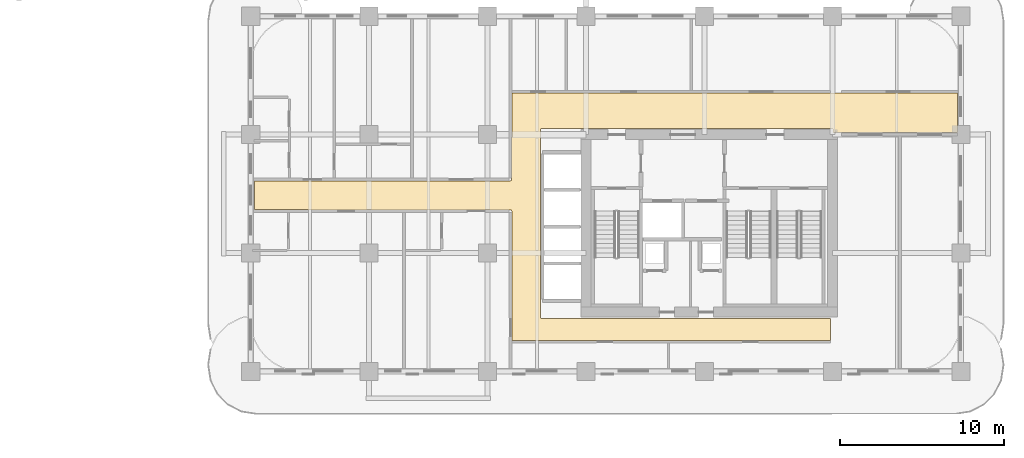
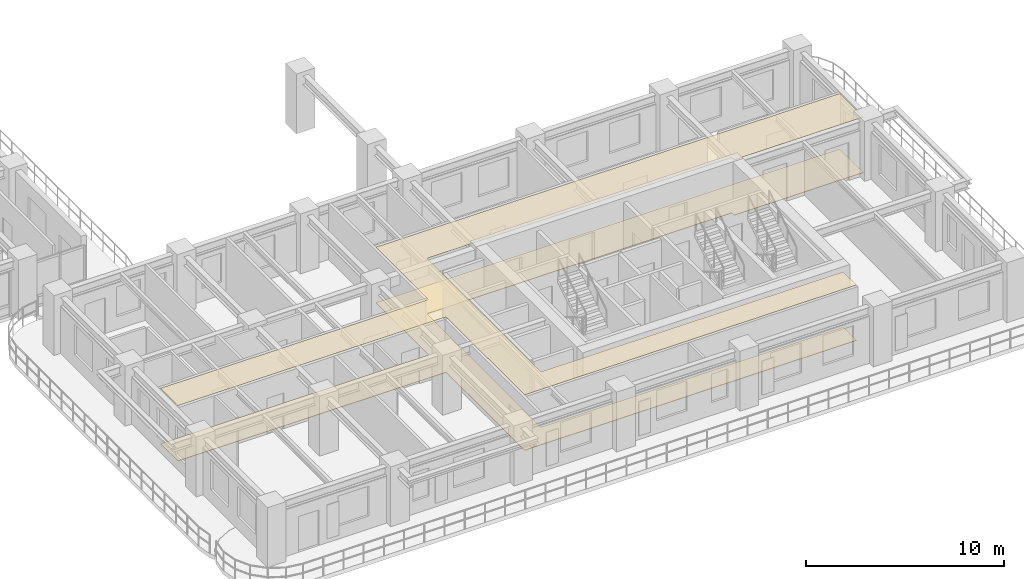
# One storey, part 16 of 19: 2 coverings.
"""IFC4 building model written with IfcOpenShell, lengths in metres."""

from ifc_helpers import new_model, si_unit, derived_unit, direction, frame, origin, place, context, subcontext, project, spatial, polyline, outline, extrude, material, layer, layer_set, type_object, element, save


model = new_model("IFC4")

# Units and contexts
model_context = context("Model", 3, precision=1e-05, world=origin(), true_north=direction((0.0, 1.0)))
body_context = subcontext(model_context, "Body", "Model", "MODEL_VIEW")
ifc_project = project(units=[si_unit("LENGTHUNIT", "METRE"), si_unit("AREAUNIT", "SQUARE_METRE"), si_unit("VOLUMEUNIT", "CUBIC_METRE"), si_unit("PLANEANGLEUNIT", "RADIAN"), si_unit("MASSUNIT", "GRAM", prefix="KILO"), si_unit("THERMODYNAMICTEMPERATUREUNIT", "KELVIN"), si_unit("POWERUNIT", "WATT"), derived_unit("THERMALTRANSMITTANCEUNIT", [(si_unit("POWERUNIT", "WATT"), 1), (si_unit("AREAUNIT", "SQUARE_METRE"), -1), (si_unit("THERMODYNAMICTEMPERATUREUNIT", "KELVIN"), -1)])], contexts=[model_context])

# Site, building, storey
site_placement = place(None, origin())
site = spatial("IfcSite", under=ifc_project, at=site_placement, CompositionType="ELEMENT")
building_placement = place(site_placement, origin())
building = spatial("IfcBuilding", under=site, at=building_placement, Name="Zahravan Archway Hotel and Residences", CompositionType="ELEMENT")
storey_placement = place(building_placement, frame((0.0, 0.0, 39.800048828125)))
storey = spatial("IfcBuildingStorey", under=building, at=storey_placement, Name="L08", CompositionType="ELEMENT", Elevation=39.800048828125)

# Coverings
ifc_material_1 = material(Name="Perforated Acoustic Gypsum Ceiling")
ifc_layer_1 = layer(ifc_material_1, 0.02490234375, Name="Perforated Acoustic Gypsum Ceiling")
ifc_layer_set_1 = layer_set([ifc_layer_1], Name="Perforated Acoustic Gypsum Ceiling")
covering_type_1 = type_object("IfcCoveringType", Name="COV-CEIL-ACST", PredefinedType="CEILING", material=ifc_layer_set_1)
covering_1_placement = place(storey_placement, frame((0.0, 0.0, 3.425048828125)))
element("IfcCovering", 1, at=covering_1_placement, inside=storey, type_object=covering_type_1, Name="L08 Acoustic Corridor Ceiling", PredefinedType="CEILING", context=body_context, shape_type="SweptSolid", body=[
    extrude(outline(polyline([(57.3798828125, 14.530029296875), (49.830078125, 14.530029296875), (49.830078125, 14.699951171875), (49.81640625, 14.744384765625), (49.780517578125, 14.77392578125), (32.10009765625, 14.780029296875), (32.0556640625, 14.7666015625), (32.026123046875, 14.730712890625), (32.02001953125, 3.300048828125), (32.033447265625, 3.255615234375), (32.0693359375, 3.22607421875), (49.669921875, 3.219970703125), (49.669921875, 1.8798828125), (30.280029296875, 1.8798828125), (30.280029296875, 9.75), (30.2666015625, 9.79443359375), (30.230712890625, 9.823974609375), (14.6201171875, 9.830078125), (14.6201171875, 11.590087890625), (30.199951171875, 11.590087890625), (30.244384765625, 11.603515625), (30.27392578125, 11.639404296875), (30.280029296875, 16.919921875), (57.3798828125, 16.919921875), (57.3798828125, 14.530029296875)])), origin(), (0.0, 0.0, 1.0), 0.02490234375),
])
ifc_material_2 = material(Name="Honed Margalla Limestone & Mortar Bed", Category="masonry")
ifc_layer_2 = layer(ifc_material_2, 0.030029296875, Name="Honed Margalla Limestone & Mortar Bed", Category="masonry")
ifc_layer_set_2 = layer_set([ifc_layer_2], Name="Honed Margalla Limestone & Mortar Bed")
covering_type_2 = type_object("IfcCoveringType", Name="COV-FLR-STONE", PredefinedType="FLOORING", material=ifc_layer_set_2)
covering_2_placement = place(storey_placement, origin())
element("IfcCovering", 2, at=covering_2_placement, inside=storey, type_object=covering_type_2, Name="L08 Circulation Floor Finish", PredefinedType="FLOORING", context=body_context, shape_type="SweptSolid", body=[
    extrude(outline(polyline([(57.3798828125, 14.530029296875), (49.830078125, 14.530029296875), (49.830078125, 14.699951171875), (49.81640625, 14.744384765625), (49.780517578125, 14.77392578125), (32.10009765625, 14.780029296875), (32.0556640625, 14.7666015625), (32.026123046875, 14.730712890625), (32.02001953125, 3.300048828125), (32.033447265625, 3.255615234375), (32.0693359375, 3.22607421875), (49.669921875, 3.219970703125), (49.669921875, 1.8798828125), (30.280029296875, 1.8798828125), (30.280029296875, 9.75), (30.2666015625, 9.79443359375), (30.230712890625, 9.823974609375), (14.6201171875, 9.830078125), (14.6201171875, 11.590087890625), (30.199951171875, 11.590087890625), (30.244384765625, 11.603515625), (30.27392578125, 11.639404296875), (30.280029296875, 16.919921875), (57.3798828125, 16.919921875), (57.3798828125, 14.530029296875)])), origin(), (0.0, 0.0, 1.0), 0.030029296875),
])

save(model, "model.ifc")
